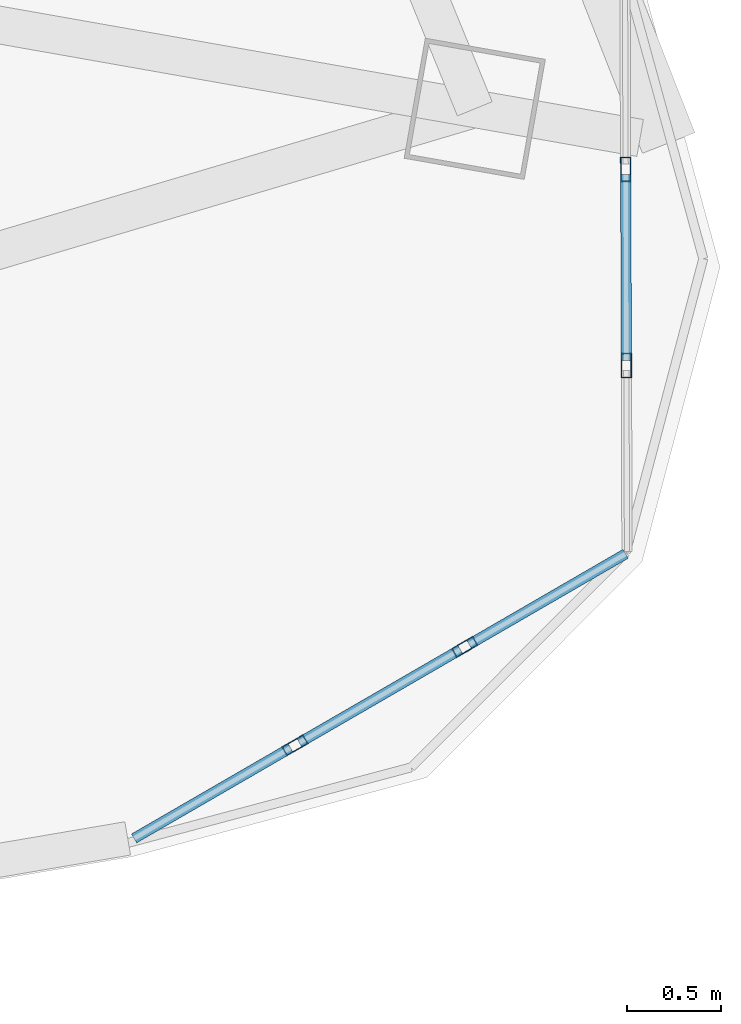
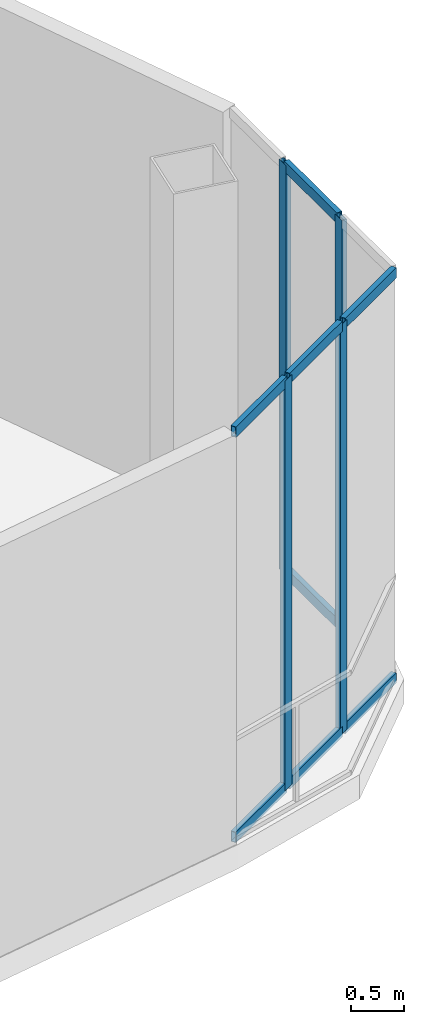
# One storey, part 17 of 33: 12 members, 2 elements without a shape of their own.
"""IFC4 building model written with IfcOpenShell, lengths in metres."""

import ifcopenshell
import ifcopenshell.guid

model = None  # the IFC model being written
_history = None  # IfcOwnerHistory: only IFC2X3 demands one
_inside = {}  # id of a spatial element -> (the spatial element, [elements in it])
_under = {}  # id of a project, library or spatial element -> (it, [spatial elements below it])
_declared = {}  # id of a project -> (the project, [libraries it declares])
_typed = {}  # id of a type object -> (the type object, [elements of that type])
_made_of = {}  # id of a material, layer set ... -> (it, [elements and type objects made of it])


def new_model(schema):
    """Start an empty IFC model of exactly this schema.

    Asked for "IFC4X3", IfcOpenShell would pick the latest addendum, in which some entities
    have other attributes; the version numbers below select the first issue.
    IFC2X3 requires an IfcOwnerHistory on every rooted entity: one is made here for all.
    """
    global model, _history
    if schema == "IFC4X3":
        model = ifcopenshell.file(schema_version=(4, 3, 0, 0))
    else:
        model = ifcopenshell.file(schema=schema)
    _inside.clear()
    _under.clear()
    _declared.clear()
    _typed.clear()
    _made_of.clear()
    _history = None
    if model.schema == "IFC2X3":
        org = make("IfcOrganization", Name="unknown")
        user = make(
            "IfcPersonAndOrganization",
            ThePerson=make("IfcPerson", FamilyName="unknown"),
            TheOrganization=org,
        )
        app = make(
            "IfcApplication",
            ApplicationDeveloper=org,
            Version="unknown",
            ApplicationFullName="unknown",
            ApplicationIdentifier="unknown",
        )
        _history = make(
            "IfcOwnerHistory",
            OwningUser=user,
            OwningApplication=app,
            ChangeAction="ADDED",
            CreationDate=0,
        )
    return model


def make(cls, **values):
    """One entity of the class cls with the attributes given. An attribute that is None is left unset."""
    return model.create_entity(
        cls, **{name: value for name, value in values.items() if value is not None}
    )


def rooted(cls, **values):
    """An entity with a GlobalId (a new one), such as an element, a storey or a relation."""
    return make(cls, GlobalId=ifcopenshell.guid.new(), OwnerHistory=_history, **values)


def si_unit(unit_type, name, prefix=None):
    """IfcSIUnit, for example si_unit("LENGTHUNIT", "METRE", prefix="MILLI")."""
    return make("IfcSIUnit", UnitType=unit_type, Prefix=prefix, Name=name)


def assignment(units):
    """IfcUnitAssignment: the units of a project."""
    return None if units is None else make("IfcUnitAssignment", Units=units)


def point(xyz):
    """IfcCartesianPoint."""
    return None if xyz is None else make("IfcCartesianPoint", Coordinates=xyz)


def direction(xyz):
    """IfcDirection."""
    return None if xyz is None else make("IfcDirection", DirectionRatios=xyz)


def frame(location, z_axis=None, x_axis=None):
    """IfcAxis2Placement3D, a coordinate frame: its origin and axes. An axis left out is left unset."""
    return make(
        "IfcAxis2Placement3D",
        Location=point(location),
        Axis=direction(z_axis),
        RefDirection=direction(x_axis),
    )


def frame_2d(location, x_axis=None):
    """IfcAxis2Placement2D, a coordinate frame in the plane: its origin and x axis."""
    return make(
        "IfcAxis2Placement2D", Location=point(location), RefDirection=direction(x_axis)
    )


def origin():
    """The frame at (0, 0, 0) with its axes left unset."""
    return frame((0.0, 0.0, 0.0))


def origin_2d():
    """The frame at (0, 0) in the plane with its x axis left unset."""
    return frame_2d((0.0, 0.0))


def place(relative_to, where):
    """IfcLocalPlacement: puts the frame where relative to a parent placement (None: the world)."""
    return make(
        "IfcLocalPlacement", PlacementRelTo=relative_to, RelativePlacement=where
    )


def context(
    kind, dimensions, precision=None, world=None, true_north=None, identifier=None
):
    """IfcGeometricRepresentationContext, for example the 3D "Model" context."""
    return make(
        "IfcGeometricRepresentationContext",
        ContextIdentifier=identifier,
        ContextType=kind,
        CoordinateSpaceDimension=dimensions,
        Precision=precision,
        WorldCoordinateSystem=world,
        TrueNorth=true_north,
    )


def subcontext(parent, identifier, kind, view, scale=None):
    """IfcGeometricRepresentationSubContext, for example "Body" below "Model"."""
    return make(
        "IfcGeometricRepresentationSubContext",
        ContextIdentifier=identifier,
        ContextType=kind,
        ParentContext=parent,
        TargetScale=scale,
        TargetView=view,
    )


def project(units=None, contexts=None):
    """IfcProject with its units and contexts."""
    return rooted(
        "IfcProject",
        Name="project",
        RepresentationContexts=contexts,
        UnitsInContext=assignment(units),
    )


def spatial(cls, under=None, at=None, **own):
    """A site, building, storey or space (cls), placed at a placement, below another one or the project."""
    s = rooted(cls, ObjectPlacement=at, **own)
    if under is not None:
        _under.setdefault(under.id(), (under, []))[1].append(s)
    return s


def profile(cls, at=None, kind="AREA", **sizes):
    """A parametric profile (cls). Its sizes go by their IFC names, for example OverallWidth=200.0."""
    return make(cls, ProfileType=kind, Position=at, **sizes)


def hollow_rectangle(**sizes):
    """IfcRectangleHollowProfileDef."""
    return profile("IfcRectangleHollowProfileDef", **sizes)


def extrude(swept, where, along, depth):
    """IfcExtrudedAreaSolid: the profile swept, set in the frame where, extruded along a direction by depth."""
    return make(
        "IfcExtrudedAreaSolid",
        SweptArea=swept,
        Position=where,
        ExtrudedDirection=direction(along),
        Depth=depth,
    )


def shape(context_of_items, identifier, shape_type, items):
    """IfcShapeRepresentation: the items that make up one representation, for example the "Body"."""
    return make(
        "IfcShapeRepresentation",
        ContextOfItems=context_of_items,
        RepresentationIdentifier=identifier,
        RepresentationType=shape_type,
        Items=items,
    )


def source(mapping_origin, context_of_items, identifier, shape_type, items):
    """IfcRepresentationMap: a shape defined once, which mapped items show again and again."""
    return make(
        "IfcRepresentationMap",
        MappingOrigin=mapping_origin,
        MappedRepresentation=shape(context_of_items, identifier, shape_type, items),
    )


def transform(
    local_origin,
    x_axis=None,
    y_axis=None,
    z_axis=None,
    scale=None,
    scale2=None,
    scale3=None,
    uniform=True,
):
    """IfcCartesianTransformationOperator3D, or its non-uniform kind. x_axis, y_axis, z_axis: its Axis1, 2, 3."""
    if uniform:
        return make(
            "IfcCartesianTransformationOperator3D",
            Axis1=direction(x_axis),
            Axis2=direction(y_axis),
            LocalOrigin=point(local_origin),
            Scale=scale,
            Axis3=direction(z_axis),
        )
    return make(
        "IfcCartesianTransformationOperator3DnonUniform",
        Axis1=direction(x_axis),
        Axis2=direction(y_axis),
        LocalOrigin=point(local_origin),
        Scale=scale,
        Axis3=direction(z_axis),
        Scale2=scale2,
        Scale3=scale3,
    )


def mapped(mapping_source, mapping_target):
    """IfcMappedItem: shows the shape of a source again, moved by a transform."""
    return make(
        "IfcMappedItem", MappingSource=mapping_source, MappingTarget=mapping_target
    )


def material(Name=None, Category=None):
    """IfcMaterial."""
    return make("IfcMaterial", Name=Name, Category=Category)


def layer(
    of_material, thickness, ventilated=None, Name=None, Category=None, Priority=None
):
    """IfcMaterialLayer: one layer of a wall or slab, of a material (None: an air gap)."""
    return make(
        "IfcMaterialLayer",
        Material=of_material,
        LayerThickness=thickness,
        IsVentilated=ventilated,
        Name=Name,
        Category=Category,
        Priority=Priority,
    )


def layer_set(layers, Name=None):
    """IfcMaterialLayerSet."""
    return make("IfcMaterialLayerSet", MaterialLayers=layers, LayerSetName=Name)


def material_profile(
    of_material, cross_section, Name=None, Category=None, Priority=None
):
    """IfcMaterialProfile: a cross section and its material."""
    return make(
        "IfcMaterialProfile",
        Name=Name,
        Material=of_material,
        Profile=cross_section,
        Priority=Priority,
        Category=Category,
    )


def profile_set(profiles, Name=None, composite=None):
    """IfcMaterialProfileSet."""
    return make(
        "IfcMaterialProfileSet",
        Name=Name,
        MaterialProfiles=profiles,
        CompositeProfile=composite,
    )


def made_of(thing, what):
    """Note that an element or type object is made of a material, layer set ...; save() writes the relation."""
    if what is not None:
        _made_of.setdefault(what.id(), (what, []))[1].append(thing)
    return thing


def type_object(cls, material=None, **own):
    """A type object (cls), such as IfcWallType, which elements share."""
    return made_of(rooted(cls, **own), material)


def element(
    cls,
    number,
    at=None,
    inside=None,
    cuts=None,
    type_object=None,
    material=None,
    context=None,
    identifier="Body",
    shape_type=None,
    held_by="IfcProductDefinitionShape",
    body=None,
    shapes=None,
    **own,
):
    """One element of the class cls, such as IfcWall. Its Tag is "e" and its number.

    at: its placement. inside: the storey or other place that contains it. cuts: it is an
    opening in that element (IfcRelVoidsElement). A single representation is given by context,
    identifier, shape_type and body (its items); several are given by shapes. held_by: the class
    of the entity that holds the representations. save() writes the other relations.
    """
    e = rooted(cls, Tag="e%d" % number, ObjectPlacement=at, **own)
    if body is not None:
        shapes = [shape(context, identifier, shape_type, body)]
    if shapes is not None:
        e.Representation = make(held_by, Representations=shapes)
    if inside is not None:
        _inside.setdefault(inside.id(), (inside, []))[1].append(e)
    if cuts is not None:
        rooted(
            "IfcRelVoidsElement", RelatingBuildingElement=cuts, RelatedOpeningElement=e
        )
    if type_object is not None:
        _typed.setdefault(type_object.id(), (type_object, []))[1].append(e)
    return made_of(e, material)


def aggregate(whole, parts):
    """IfcRelAggregates: a whole, such as a stair, and the parts it consists of."""
    return rooted("IfcRelAggregates", RelatingObject=whole, RelatedObjects=parts)


def save(model, path):
    """Write the relations noted so far, then the file.

    IfcRelAggregates (storeys below a building ...), IfcRelContainedInSpatialStructure (elements
    in a storey), IfcRelDefinesByType, IfcRelAssociatesMaterial and IfcRelDeclares: one each for
    every whole, place, type object, material and project.
    """
    for whole, parts in _under.values():
        aggregate(whole, parts)
    for where, things in _inside.values():
        rooted(
            "IfcRelContainedInSpatialStructure",
            RelatedElements=things,
            RelatingStructure=where,
        )
    for kind, things in _typed.values():
        rooted("IfcRelDefinesByType", RelatedObjects=things, RelatingType=kind)
    for what, things in _made_of.values():
        rooted("IfcRelAssociatesMaterial", RelatedObjects=things, RelatingMaterial=what)
    for by, libraries in _declared.values():
        rooted("IfcRelDeclares", RelatingContext=by, RelatedDefinitions=libraries)
    model.write(path)


model = new_model("IFC4")

# Units and contexts
model_context = context("Model", 3, precision=1e-05, world=origin(), true_north=direction((0.0, 1.0)))
body_context = subcontext(model_context, "Body", "Model", "MODEL_VIEW")
ifc_project = project(units=[si_unit("LENGTHUNIT", "METRE"), si_unit("AREAUNIT", "SQUARE_METRE"), si_unit("VOLUMEUNIT", "CUBIC_METRE"), si_unit("PLANEANGLEUNIT", "RADIAN"), si_unit("MASSUNIT", "GRAM", prefix="KILO"), si_unit("THERMODYNAMICTEMPERATUREUNIT", "KELVIN"), si_unit("POWERUNIT", "WATT")], contexts=[model_context])

# Site, building, storey
site_placement = place(None, origin())
site = spatial("IfcSite", under=ifc_project, at=site_placement, CompositionType="ELEMENT")
building_placement = place(site_placement, origin())
building = spatial("IfcBuilding", under=site, at=building_placement, Name="Yunzhuo Pagoda Commons", CompositionType="ELEMENT")
storey_placement = place(building_placement, frame((0.0, 0.0, 386.760009765625)))
storey = spatial("IfcBuildingStorey", under=building, at=storey_placement, Name="L96", CompositionType="ELEMENT", Elevation=386.760009765625)

# Curtain wall, members
ifc_material = material(Name="Anodized aluminium 6063-T6", Category="aluminium")
ifc_layer = layer(ifc_material, 0.1298828125)
ifc_layer_set = layer_set([ifc_layer], Name="Anodized aluminium 6063-T6")
curtain_wall_type = type_object("IfcCurtainWallType", Name="CW-VTX Rounded Corner Curtain Wall", PredefinedType="NOTDEFINED", material=ifc_layer_set)
curtain_wall_1_placement = place(storey_placement, origin())
curtain_wall_1 = element("IfcCurtainWall", 1, at=curtain_wall_1_placement, inside=storey, type_object=curtain_wall_type, Name="L96 curtain wall CW-L96-CRNV2S1", PredefinedType="NOTDEFINED")
ifc_material_profile_1 = material_profile(ifc_material, hollow_rectangle(XDim=0.054931640625, YDim=0.1298828125, WallThickness=0.00341796875, at=origin_2d()), Name="Anodized aluminium 6063-T6")
ifc_profile_set_1 = profile_set([ifc_material_profile_1], Name="Anodized aluminium 6063-T6")
member_type_1 = type_object("IfcMemberType", Name="CW-VTX-M Mullion RHS 130x55x3.5", PredefinedType="MULLION", material=ifc_profile_set_1)
shared_shape_1 = source(origin(), body_context, "Body", "SweptSolid", [
    extrude(hollow_rectangle(XDim=0.054931640625, YDim=0.1298828125, WallThickness=0.00341796875, at=origin_2d()), origin(), (0.0, 0.0, 1.0), 4.72021484375),
])
member_1_placement = place(storey_placement, frame((71.511474609375, 25.991455078125, 0.0), z_axis=(0.0, 0.0, 1.0), x_axis=(-0.501041294531, 0.865423376836, 0.0)))
member_1 = element("IfcMember", 2, at=member_1_placement, type_object=member_type_1, Name="CW mullion 2", PredefinedType="MULLION", context=body_context, shape_type="MappedRepresentation", body=[
    mapped(shared_shape_1, transform((0.0, 0.0, 0.0), scale=1.0)),
])
member_2_placement = place(storey_placement, frame((72.416748046875, 26.515625, 0.0), z_axis=(0.0, 0.0, 1.0), x_axis=(-0.501041294531, 0.865423376836, 0.0)))
member_2 = element("IfcMember", 3, at=member_2_placement, type_object=member_type_1, Name="CW mullion 3", PredefinedType="MULLION", context=body_context, shape_type="MappedRepresentation", body=[
    mapped(shared_shape_1, transform((0.0, 0.0, 0.0), scale=1.0)),
])

curtain_wall_2_placement = place(storey_placement, origin())
curtain_wall_2 = element("IfcCurtainWall", 4, at=curtain_wall_2_placement, inside=storey, type_object=curtain_wall_type, Name="L96 curtain wall CW-L96-CRNV2S2", PredefinedType="NOTDEFINED")
member_3_placement = place(storey_placement, frame((73.27880859375, 28.016357421875, 0.0), z_axis=(0.0, 0.0, 1.0), x_axis=(-0.99999363226, -0.003568674704, 0.0)))
member_3 = element("IfcMember", 5, at=member_3_placement, type_object=member_type_1, Name="CW mullion 2", PredefinedType="MULLION", context=body_context, shape_type="MappedRepresentation", body=[
    mapped(shared_shape_1, transform((0.0, 0.0, 0.0), scale=1.0)),
])
member_4_placement = place(storey_placement, frame((73.27490234375, 29.0625, 0.0), z_axis=(0.0, 0.0, 1.0), x_axis=(-0.99999363226, -0.003568674704, 0.0)))
member_4 = element("IfcMember", 6, at=member_4_placement, type_object=member_type_1, Name="CW mullion 3", PredefinedType="MULLION", context=body_context, shape_type="MappedRepresentation", body=[
    mapped(shared_shape_1, transform((0.0, 0.0, 0.0), scale=1.0)),
])

# Member
ifc_material_profile_2 = material_profile(ifc_material, hollow_rectangle(XDim=0.054931640625, YDim=0.1201171875, WallThickness=0.00341796875, at=origin_2d()), Name="Anodized aluminium 6063-T6")
ifc_profile_set_2 = profile_set([ifc_material_profile_2], Name="Anodized aluminium 6063-T6")
member_type_2 = type_object("IfcMemberType", Name="CW-VTX-T Transom RHS 120x55x3.5", PredefinedType="USERDEFINED", material=ifc_profile_set_2)
shared_shape_2 = source(origin(), body_context, "Body", "SweptSolid", [
    extrude(hollow_rectangle(XDim=0.054931640625, YDim=0.1201171875, WallThickness=0.00341796875, at=origin_2d()), origin(), (0.0, 0.0, 1.0), 0.963623046875),
])
member_5_placement = place(storey_placement, frame((72.440673828125, 26.529296875, 0.027587890625), z_axis=(0.865391594413, 0.501096186694, 0.0), x_axis=(-0.501096186694, 0.865391594413, 0.0)))
member_5 = element("IfcMember", 7, at=member_5_placement, type_object=member_type_2, Name="CW transom 3.1", ObjectType="TRANSOM", PredefinedType="USERDEFINED", context=body_context, shape_type="MappedRepresentation", body=[
    mapped(shared_shape_2, transform((0.0, 0.0, 0.0), scale=1.0)),
])

member_6_placement = place(storey_placement, frame((72.440673828125, 26.529296875, 4.6923828125), z_axis=(0.865391594413, 0.501096186694, 0.0), x_axis=(-0.501096186694, 0.865391594413, 0.0)))
member_6 = element("IfcMember", 8, at=member_6_placement, type_object=member_type_2, Name="CW transom 3.2", ObjectType="TRANSOM", PredefinedType="USERDEFINED", context=body_context, shape_type="MappedRepresentation", body=[
    mapped(shared_shape_2, transform((0.0, 0.0, 0.0), scale=1.0)),
])

shared_shape_3 = source(origin(), body_context, "Body", "SweptSolid", [
    extrude(hollow_rectangle(XDim=0.054931640625, YDim=0.1201171875, WallThickness=0.00341796875, at=origin_2d()), origin(), (0.0, 0.0, 1.0), 0.990966796875),
])
member_7_placement = place(storey_placement, frame((73.27880859375, 28.0439453125, 0.027587890625), z_axis=(-0.003941826976, 0.99999223097, 0.0), x_axis=(-0.99999223097, -0.003941826976, 0.0)))
member_7 = element("IfcMember", 9, at=member_7_placement, type_object=member_type_2, Name="CW transom 2.1", ObjectType="TRANSOM", PredefinedType="USERDEFINED", context=body_context, shape_type="MappedRepresentation", body=[
    mapped(shared_shape_3, transform((0.0, 0.0, 0.0), scale=1.0)),
])

member_8_placement = place(storey_placement, frame((73.27880859375, 28.0439453125, 4.6923828125), z_axis=(-0.003941826976, 0.99999223097, 0.0), x_axis=(-0.99999223097, -0.003941826976, 0.0)))
member_8 = element("IfcMember", 10, at=member_8_placement, type_object=member_type_2, Name="CW transom 2.2", ObjectType="TRANSOM", PredefinedType="USERDEFINED", context=body_context, shape_type="MappedRepresentation", body=[
    mapped(shared_shape_3, transform((0.0, 0.0, 0.0), scale=1.0)),
])

aggregate(curtain_wall_2, [member_3, member_4, member_7, member_8])

shared_shape_4 = source(origin(), body_context, "Body", "SweptSolid", [
    extrude(hollow_rectangle(XDim=0.054931640625, YDim=0.1201171875, WallThickness=0.00341796875, at=origin_2d()), origin(), (0.0, 0.0, 1.0), 0.9912109375),
])
member_9_placement = place(storey_placement, frame((71.53515625, 26.005126953125, 0.027587890625), z_axis=(0.86547124823, 0.500958599573, 0.0), x_axis=(-0.500958599573, 0.86547124823, 0.0)))
member_9 = element("IfcMember", 11, at=member_9_placement, type_object=member_type_2, Name="CW transom 2.1", ObjectType="TRANSOM", PredefinedType="USERDEFINED", context=body_context, shape_type="MappedRepresentation", body=[
    mapped(shared_shape_4, transform((0.0, 0.0, 0.0), scale=1.0)),
])

member_10_placement = place(storey_placement, frame((71.53515625, 26.005126953125, 4.6923828125), z_axis=(0.86547124823, 0.500958599573, 0.0), x_axis=(-0.500958599573, 0.86547124823, 0.0)))
member_10 = element("IfcMember", 12, at=member_10_placement, type_object=member_type_2, Name="CW transom 2.2", ObjectType="TRANSOM", PredefinedType="USERDEFINED", context=body_context, shape_type="MappedRepresentation", body=[
    mapped(shared_shape_4, transform((0.0, 0.0, 0.0), scale=1.0)),
])

shared_shape_5 = source(origin(), body_context, "Body", "SweptSolid", [
    extrude(hollow_rectangle(XDim=0.054931640625, YDim=0.1201171875, WallThickness=0.00341796875, at=origin_2d()), origin(), (0.0, 0.0, 1.0), 0.96337890625),
])
member_11_placement = place(storey_placement, frame((70.65380859375, 25.494873046875, 0.027587890625), z_axis=(0.865437852253, 0.501016291041, 0.0), x_axis=(-0.501016291041, 0.865437852253, 0.0)))
member_11 = element("IfcMember", 13, at=member_11_placement, type_object=member_type_2, Name="CW transom 1.1", ObjectType="TRANSOM", PredefinedType="USERDEFINED", context=body_context, shape_type="MappedRepresentation", body=[
    mapped(shared_shape_5, transform((0.0, 0.0, 0.0), scale=1.0)),
])

member_12_placement = place(storey_placement, frame((70.65380859375, 25.494873046875, 4.6923828125), z_axis=(0.865437852253, 0.501016291041, 0.0), x_axis=(-0.501016291041, 0.865437852253, 0.0)))
member_12 = element("IfcMember", 14, at=member_12_placement, type_object=member_type_2, Name="CW transom 1.2", ObjectType="TRANSOM", PredefinedType="USERDEFINED", context=body_context, shape_type="MappedRepresentation", body=[
    mapped(shared_shape_5, transform((0.0, 0.0, 0.0), scale=1.0)),
])

aggregate(curtain_wall_1, [member_1, member_2, member_11, member_12, member_9, member_10, member_5, member_6])

save(model, "model.ifc")
